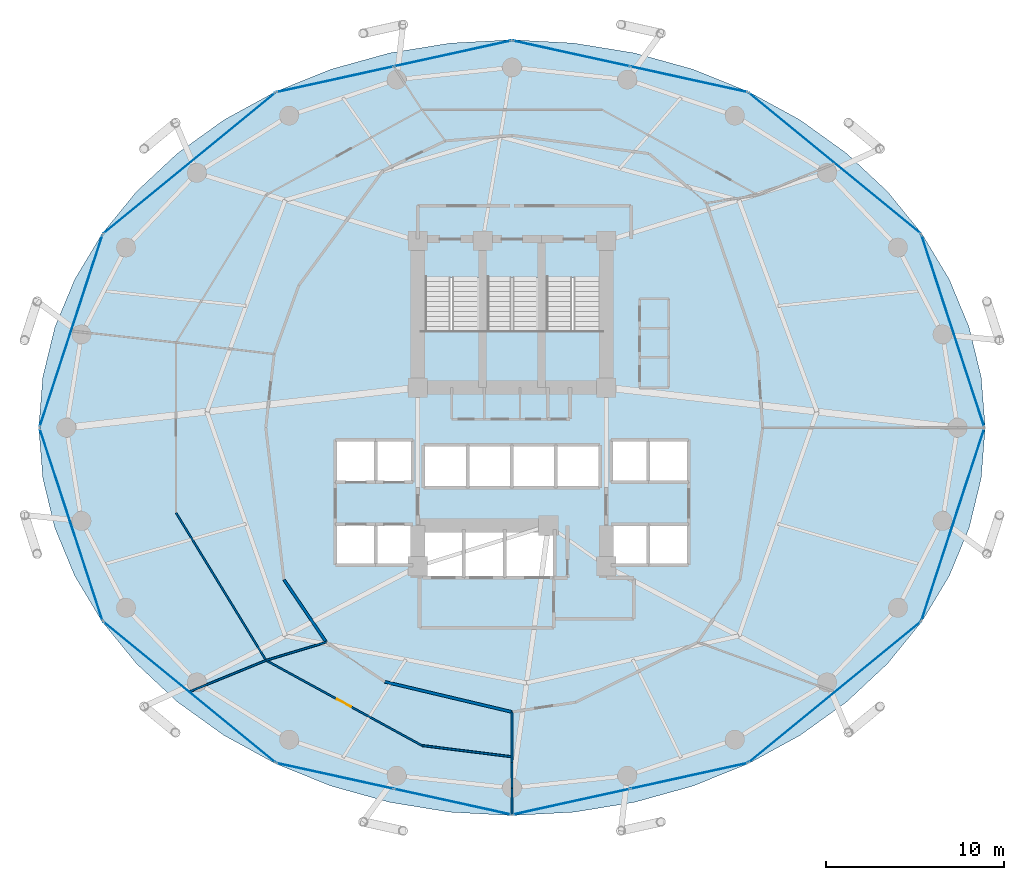
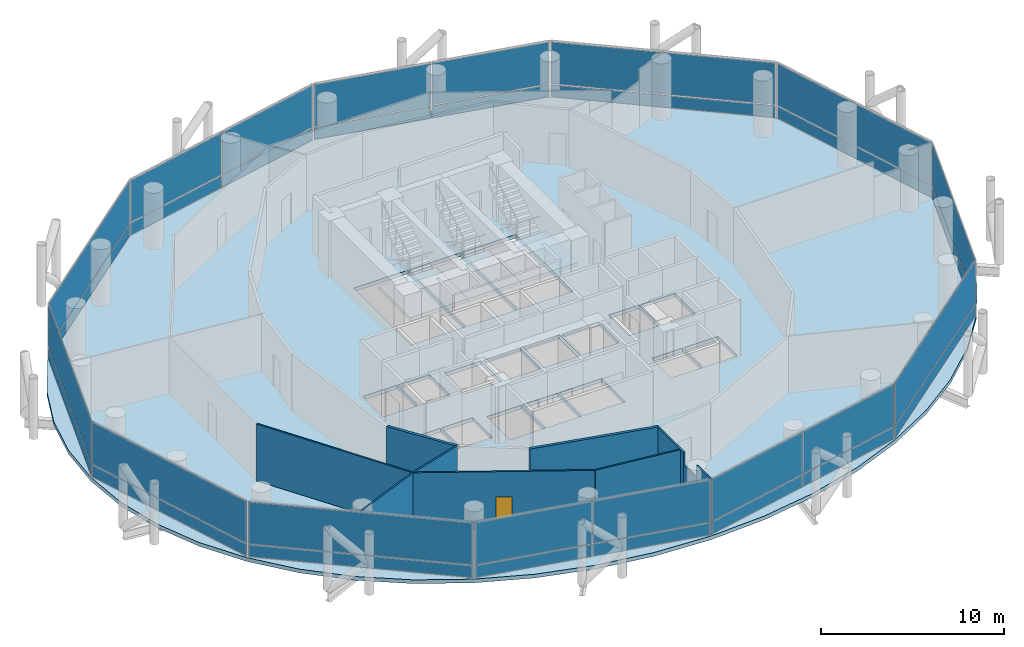
# One storey, part 20 of 25: 32 plates, 10 walls, 4 slabs, 1 door, 1 opening, 15 elements without a shape of their own.
"""IFC4 building model written with IfcOpenShell, lengths in metres."""

import ifcopenshell
import ifcopenshell.guid

model = None  # the IFC model being written
_history = None  # IfcOwnerHistory: only IFC2X3 demands one
_inside = {}  # id of a spatial element -> (the spatial element, [elements in it])
_under = {}  # id of a project, library or spatial element -> (it, [spatial elements below it])
_declared = {}  # id of a project -> (the project, [libraries it declares])
_typed = {}  # id of a type object -> (the type object, [elements of that type])
_made_of = {}  # id of a material, layer set ... -> (it, [elements and type objects made of it])


def new_model(schema):
    """Start an empty IFC model of exactly this schema.

    Asked for "IFC4X3", IfcOpenShell would pick the latest addendum, in which some entities
    have other attributes; the version numbers below select the first issue.
    IFC2X3 requires an IfcOwnerHistory on every rooted entity: one is made here for all.
    """
    global model, _history
    if schema == "IFC4X3":
        model = ifcopenshell.file(schema_version=(4, 3, 0, 0))
    else:
        model = ifcopenshell.file(schema=schema)
    _inside.clear()
    _under.clear()
    _declared.clear()
    _typed.clear()
    _made_of.clear()
    _history = None
    if model.schema == "IFC2X3":
        org = make("IfcOrganization", Name="unknown")
        user = make(
            "IfcPersonAndOrganization",
            ThePerson=make("IfcPerson", FamilyName="unknown"),
            TheOrganization=org,
        )
        app = make(
            "IfcApplication",
            ApplicationDeveloper=org,
            Version="unknown",
            ApplicationFullName="unknown",
            ApplicationIdentifier="unknown",
        )
        _history = make(
            "IfcOwnerHistory",
            OwningUser=user,
            OwningApplication=app,
            ChangeAction="ADDED",
            CreationDate=0,
        )
    return model


def make(cls, **values):
    """One entity of the class cls with the attributes given. An attribute that is None is left unset."""
    return model.create_entity(
        cls, **{name: value for name, value in values.items() if value is not None}
    )


def rooted(cls, **values):
    """An entity with a GlobalId (a new one), such as an element, a storey or a relation."""
    return make(cls, GlobalId=ifcopenshell.guid.new(), OwnerHistory=_history, **values)


def si_unit(unit_type, name, prefix=None):
    """IfcSIUnit, for example si_unit("LENGTHUNIT", "METRE", prefix="MILLI")."""
    return make("IfcSIUnit", UnitType=unit_type, Prefix=prefix, Name=name)


def assignment(units):
    """IfcUnitAssignment: the units of a project."""
    return None if units is None else make("IfcUnitAssignment", Units=units)


def point(xyz):
    """IfcCartesianPoint."""
    return None if xyz is None else make("IfcCartesianPoint", Coordinates=xyz)


def direction(xyz):
    """IfcDirection."""
    return None if xyz is None else make("IfcDirection", DirectionRatios=xyz)


def frame(location, z_axis=None, x_axis=None):
    """IfcAxis2Placement3D, a coordinate frame: its origin and axes. An axis left out is left unset."""
    return make(
        "IfcAxis2Placement3D",
        Location=point(location),
        Axis=direction(z_axis),
        RefDirection=direction(x_axis),
    )


def frame_2d(location, x_axis=None):
    """IfcAxis2Placement2D, a coordinate frame in the plane: its origin and x axis."""
    return make(
        "IfcAxis2Placement2D", Location=point(location), RefDirection=direction(x_axis)
    )


def origin():
    """The frame at (0, 0, 0) with its axes left unset."""
    return frame((0.0, 0.0, 0.0))


def origin_2d():
    """The frame at (0, 0) in the plane with its x axis left unset."""
    return frame_2d((0.0, 0.0))


def place(relative_to, where):
    """IfcLocalPlacement: puts the frame where relative to a parent placement (None: the world)."""
    return make(
        "IfcLocalPlacement", PlacementRelTo=relative_to, RelativePlacement=where
    )


def context(
    kind, dimensions, precision=None, world=None, true_north=None, identifier=None
):
    """IfcGeometricRepresentationContext, for example the 3D "Model" context."""
    return make(
        "IfcGeometricRepresentationContext",
        ContextIdentifier=identifier,
        ContextType=kind,
        CoordinateSpaceDimension=dimensions,
        Precision=precision,
        WorldCoordinateSystem=world,
        TrueNorth=true_north,
    )


def subcontext(parent, identifier, kind, view, scale=None):
    """IfcGeometricRepresentationSubContext, for example "Body" below "Model"."""
    return make(
        "IfcGeometricRepresentationSubContext",
        ContextIdentifier=identifier,
        ContextType=kind,
        ParentContext=parent,
        TargetScale=scale,
        TargetView=view,
    )


def project(units=None, contexts=None):
    """IfcProject with its units and contexts."""
    return rooted(
        "IfcProject",
        Name="project",
        RepresentationContexts=contexts,
        UnitsInContext=assignment(units),
    )


def spatial(cls, under=None, at=None, **own):
    """A site, building, storey or space (cls), placed at a placement, below another one or the project."""
    s = rooted(cls, ObjectPlacement=at, **own)
    if under is not None:
        _under.setdefault(under.id(), (under, []))[1].append(s)
    return s


def polyline(points):
    """IfcPolyline through the points."""
    return make("IfcPolyline", Points=[point(p) for p in points])


def profile(cls, at=None, kind="AREA", **sizes):
    """A parametric profile (cls). Its sizes go by their IFC names, for example OverallWidth=200.0."""
    return make(cls, ProfileType=kind, Position=at, **sizes)


def rectangle(**sizes):
    """IfcRectangleProfileDef."""
    return profile("IfcRectangleProfileDef", **sizes)


def outline(outer, holes=None, kind="AREA"):
    """IfcArbitraryClosedProfileDef: a profile drawn as a closed curve; with holes, ...WithVoids."""
    if holes is None:
        return make("IfcArbitraryClosedProfileDef", ProfileType=kind, OuterCurve=outer)
    return make(
        "IfcArbitraryProfileDefWithVoids",
        ProfileType=kind,
        OuterCurve=outer,
        InnerCurves=holes,
    )


def extrude(swept, where, along, depth):
    """IfcExtrudedAreaSolid: the profile swept, set in the frame where, extruded along a direction by depth."""
    return make(
        "IfcExtrudedAreaSolid",
        SweptArea=swept,
        Position=where,
        ExtrudedDirection=direction(along),
        Depth=depth,
    )


def shape(context_of_items, identifier, shape_type, items):
    """IfcShapeRepresentation: the items that make up one representation, for example the "Body"."""
    return make(
        "IfcShapeRepresentation",
        ContextOfItems=context_of_items,
        RepresentationIdentifier=identifier,
        RepresentationType=shape_type,
        Items=items,
    )


def material(Name=None, Category=None):
    """IfcMaterial."""
    return make("IfcMaterial", Name=Name, Category=Category)


def layer(
    of_material, thickness, ventilated=None, Name=None, Category=None, Priority=None
):
    """IfcMaterialLayer: one layer of a wall or slab, of a material (None: an air gap)."""
    return make(
        "IfcMaterialLayer",
        Material=of_material,
        LayerThickness=thickness,
        IsVentilated=ventilated,
        Name=Name,
        Category=Category,
        Priority=Priority,
    )


def layer_set(layers, Name=None):
    """IfcMaterialLayerSet."""
    return make("IfcMaterialLayerSet", MaterialLayers=layers, LayerSetName=Name)


def made_of(thing, what):
    """Note that an element or type object is made of a material, layer set ...; save() writes the relation."""
    if what is not None:
        _made_of.setdefault(what.id(), (what, []))[1].append(thing)
    return thing


def type_object(cls, material=None, **own):
    """A type object (cls), such as IfcWallType, which elements share."""
    return made_of(rooted(cls, **own), material)


def element(
    cls,
    number,
    at=None,
    inside=None,
    cuts=None,
    type_object=None,
    material=None,
    context=None,
    identifier="Body",
    shape_type=None,
    held_by="IfcProductDefinitionShape",
    body=None,
    shapes=None,
    **own,
):
    """One element of the class cls, such as IfcWall. Its Tag is "e" and its number.

    at: its placement. inside: the storey or other place that contains it. cuts: it is an
    opening in that element (IfcRelVoidsElement). A single representation is given by context,
    identifier, shape_type and body (its items); several are given by shapes. held_by: the class
    of the entity that holds the representations. save() writes the other relations.
    """
    e = rooted(cls, Tag="e%d" % number, ObjectPlacement=at, **own)
    if body is not None:
        shapes = [shape(context, identifier, shape_type, body)]
    if shapes is not None:
        e.Representation = make(held_by, Representations=shapes)
    if inside is not None:
        _inside.setdefault(inside.id(), (inside, []))[1].append(e)
    if cuts is not None:
        rooted(
            "IfcRelVoidsElement", RelatingBuildingElement=cuts, RelatedOpeningElement=e
        )
    if type_object is not None:
        _typed.setdefault(type_object.id(), (type_object, []))[1].append(e)
    return made_of(e, material)


def fill(opening, filler):
    """IfcRelFillsElement: the door or window that sits in an opening."""
    return rooted(
        "IfcRelFillsElement",
        RelatingOpeningElement=opening,
        RelatedBuildingElement=filler,
    )


def aggregate(whole, parts):
    """IfcRelAggregates: a whole, such as a stair, and the parts it consists of."""
    return rooted("IfcRelAggregates", RelatingObject=whole, RelatedObjects=parts)


def save(model, path):
    """Write the relations noted so far, then the file.

    IfcRelAggregates (storeys below a building ...), IfcRelContainedInSpatialStructure (elements
    in a storey), IfcRelDefinesByType, IfcRelAssociatesMaterial and IfcRelDeclares: one each for
    every whole, place, type object, material and project.
    """
    for whole, parts in _under.values():
        aggregate(whole, parts)
    for where, things in _inside.values():
        rooted(
            "IfcRelContainedInSpatialStructure",
            RelatedElements=things,
            RelatingStructure=where,
        )
    for kind, things in _typed.values():
        rooted("IfcRelDefinesByType", RelatedObjects=things, RelatingType=kind)
    for what, things in _made_of.values():
        rooted("IfcRelAssociatesMaterial", RelatedObjects=things, RelatingMaterial=what)
    for by, libraries in _declared.values():
        rooted("IfcRelDeclares", RelatingContext=by, RelatedDefinitions=libraries)
    model.write(path)


model = new_model("IFC4")

# Units and contexts
model_context = context("Model", 3, precision=1e-05, world=origin(), true_north=direction((0.0, 1.0)))
body_context = subcontext(model_context, "Body", "Model", "MODEL_VIEW")
ifc_project = project(units=[si_unit("LENGTHUNIT", "METRE"), si_unit("AREAUNIT", "SQUARE_METRE"), si_unit("VOLUMEUNIT", "CUBIC_METRE"), si_unit("PLANEANGLEUNIT", "RADIAN"), si_unit("MASSUNIT", "GRAM", prefix="KILO")], contexts=[model_context])

# Site, building, storey
site_placement = place(None, origin())
site = spatial("IfcSite", under=ifc_project, at=site_placement, CompositionType="ELEMENT")
building_placement = place(site_placement, origin())
building = spatial("IfcBuilding", under=site, at=building_placement, Name="Nuhasar Tower", CompositionType="ELEMENT")
storey_placement = place(building_placement, frame((0.0, 0.0, 57.449951171875)))
storey = spatial("IfcBuildingStorey", under=building, at=storey_placement, Name="L13", CompositionType="ELEMENT", Elevation=57.449951171875)

# Curtain wall, plate
ifc_material_1 = material(Name="Aluminium 6063-T6", Category="aluminium")
ifc_layer_1 = layer(ifc_material_1, 0.199951171875)
ifc_layer_set_1 = layer_set([ifc_layer_1], Name="Aluminium 6063-T6")
curtain_wall_type = type_object("IfcCurtainWallType", Name="CW-Z1-OFF", PredefinedType="NOTDEFINED", material=ifc_layer_set_1)
curtain_wall_1_placement = place(storey_placement, origin())
curtain_wall_1 = element("IfcCurtainWall", 1, at=curtain_wall_1_placement, inside=storey, type_object=curtain_wall_type, Name="L13 Unitised Curtain Wall 01", PredefinedType="NOTDEFINED")
ifc_material_2 = material(Name="Glass Double Low-E", Category="glass")
ifc_layer_2 = layer(ifc_material_2, 0.028076171875)
ifc_layer_set_2 = layer_set([ifc_layer_2], Name="Glass Double Low-E")
plate_type_1 = type_object("IfcPlateType", Name="CW-PANEL-GLZ", PredefinedType="CURTAIN_PANEL", material=ifc_layer_set_2)
plate_1_placement = place(storey_placement, frame((63.781005859375, 32.239990234375, 0.9326171875), z_axis=(0.0, 0.0, 1.0), x_axis=(-0.310823849997, 0.950467534571, 0.0)))
plate_1 = element("IfcPlate", 2, at=plate_1_placement, type_object=plate_type_1, Name="CW-Z1 panel 1.2", PredefinedType="CURTAIN_PANEL", context=body_context, shape_type="SweptSolid", body=[
    extrude(rectangle(XDim=11.31689453125, YDim=0.028076171875, at=origin_2d()), origin(), (0.0, 0.0, 1.0), 2.802490234375),
])

curtain_wall_2_placement = place(storey_placement, origin())
curtain_wall_2 = element("IfcCurtainWall", 3, at=curtain_wall_2_placement, inside=storey, type_object=curtain_wall_type, Name="L13 Unitised Curtain Wall 02", PredefinedType="NOTDEFINED")
plate_2_placement = place(storey_placement, frame((57.14111328125, 41.66259765625, 0.9326171875), z_axis=(0.0, 0.0, 1.0), x_axis=(-0.773542364946, 0.633744593376, 0.0)))
plate_2 = element("IfcPlate", 4, at=plate_2_placement, type_object=plate_type_1, Name="CW-Z1 panel 1.2", PredefinedType="CURTAIN_PANEL", context=body_context, shape_type="SweptSolid", body=[
    extrude(rectangle(XDim=12.438232421875, YDim=0.028076171875, at=origin_2d()), origin(), (0.0, 0.0, 1.0), 2.802490234375),
])

# Curtain wall, plates
curtain_wall_3_placement = place(storey_placement, origin())
curtain_wall_3 = element("IfcCurtainWall", 5, at=curtain_wall_3_placement, inside=storey, type_object=curtain_wall_type, Name="L13 Unitised Curtain Wall 03", PredefinedType="NOTDEFINED")
plate_3_placement = place(storey_placement, frame((48.944091796875, 46.377197265625, 0.9326171875), z_axis=(0.0, 0.0, 1.0), x_axis=(-0.976746221544, 0.214398737637, 0.0)))
plate_3 = element("IfcPlate", 6, at=plate_3_placement, type_object=plate_type_1, Name="CW-Z1 panel 1.2", PredefinedType="CURTAIN_PANEL", context=body_context, shape_type="SweptSolid", body=[
    extrude(rectangle(XDim=6.70068359375, YDim=0.028076171875, at=origin_2d()), origin(), (0.0, 0.0, 1.0), 2.802490234375),
])
plate_4_placement = place(storey_placement, frame((42.3359375, 47.827880859375, 0.9326171875), z_axis=(0.0, 0.0, 1.0), x_axis=(-0.976746221544, 0.214398737637, 0.0)))
plate_4 = element("IfcPlate", 7, at=plate_4_placement, type_object=plate_type_1, Name="CW-Z1 panel 2.2", PredefinedType="CURTAIN_PANEL", context=body_context, shape_type="SweptSolid", body=[
    extrude(rectangle(XDim=6.70068359375, YDim=0.028076171875, at=origin_2d()), origin(), (0.0, 0.0, 1.0), 2.802490234375),
])

curtain_wall_4_placement = place(storey_placement, origin())
curtain_wall_4 = element("IfcCurtainWall", 8, at=curtain_wall_4_placement, inside=storey, type_object=curtain_wall_type, Name="L13 Unitised Curtain Wall 04", PredefinedType="NOTDEFINED")
plate_5_placement = place(storey_placement, frame((35.6640625, 47.827880859375, 0.9326171875), z_axis=(0.0, 0.0, 1.0), x_axis=(-0.976746221544, -0.214398737637, 0.0)))
plate_5 = element("IfcPlate", 9, at=plate_5_placement, type_object=plate_type_1, Name="CW-Z1 panel 1.2", PredefinedType="CURTAIN_PANEL", context=body_context, shape_type="SweptSolid", body=[
    extrude(rectangle(XDim=6.70068359375, YDim=0.028076171875, at=origin_2d()), origin(), (0.0, 0.0, 1.0), 2.802490234375),
])
plate_6_placement = place(storey_placement, frame((29.055908203125, 46.377197265625, 0.9326171875), z_axis=(0.0, 0.0, 1.0), x_axis=(-0.976746221544, -0.214398737637, 0.0)))
plate_6 = element("IfcPlate", 10, at=plate_6_placement, type_object=plate_type_1, Name="CW-Z1 panel 2.2", PredefinedType="CURTAIN_PANEL", context=body_context, shape_type="SweptSolid", body=[
    extrude(rectangle(XDim=6.70068359375, YDim=0.028076171875, at=origin_2d()), origin(), (0.0, 0.0, 1.0), 2.802490234375),
])

# Curtain wall, plate
curtain_wall_5_placement = place(storey_placement, origin())
curtain_wall_5 = element("IfcCurtainWall", 11, at=curtain_wall_5_placement, inside=storey, type_object=curtain_wall_type, Name="L13 Unitised Curtain Wall 05", PredefinedType="NOTDEFINED")
plate_7_placement = place(storey_placement, frame((20.85888671875, 41.66259765625, 0.9326171875), z_axis=(0.0, 0.0, 1.0), x_axis=(-0.773542364946, -0.633744593376, 0.0)))
plate_7 = element("IfcPlate", 12, at=plate_7_placement, type_object=plate_type_1, Name="CW-Z1 panel 1.2", PredefinedType="CURTAIN_PANEL", context=body_context, shape_type="SweptSolid", body=[
    extrude(rectangle(XDim=12.438232421875, YDim=0.028076171875, at=origin_2d()), origin(), (0.0, 0.0, 1.0), 2.802490234375),
])

curtain_wall_6_placement = place(storey_placement, origin())
curtain_wall_6 = element("IfcCurtainWall", 13, at=curtain_wall_6_placement, inside=storey, type_object=curtain_wall_type, Name="L13 Unitised Curtain Wall 06", PredefinedType="NOTDEFINED")
plate_8_placement = place(storey_placement, frame((14.218994140625, 32.239990234375, 0.9326171875), z_axis=(0.0, 0.0, 1.0), x_axis=(-0.310823849997, -0.950467534571, 0.0)))
plate_8 = element("IfcPlate", 14, at=plate_8_placement, type_object=plate_type_1, Name="CW-Z1 panel 1.2", PredefinedType="CURTAIN_PANEL", context=body_context, shape_type="SweptSolid", body=[
    extrude(rectangle(XDim=11.31689453125, YDim=0.028076171875, at=origin_2d()), origin(), (0.0, 0.0, 1.0), 2.802490234375),
])

curtain_wall_7_placement = place(storey_placement, origin())
curtain_wall_7 = element("IfcCurtainWall", 15, at=curtain_wall_7_placement, inside=storey, type_object=curtain_wall_type, Name="L13 Unitised Curtain Wall 07", PredefinedType="NOTDEFINED")
plate_9_placement = place(storey_placement, frame((14.218994140625, 21.360107421875, 0.9326171875), z_axis=(0.0, 0.0, 1.0), x_axis=(0.310823849997, -0.950467534571, 0.0)))
plate_9 = element("IfcPlate", 16, at=plate_9_placement, type_object=plate_type_1, Name="CW-Z1 panel 1.2", PredefinedType="CURTAIN_PANEL", context=body_context, shape_type="SweptSolid", body=[
    extrude(rectangle(XDim=11.31689453125, YDim=0.028076171875, at=origin_2d()), origin(), (0.0, 0.0, 1.0), 2.802490234375),
])

curtain_wall_8_placement = place(storey_placement, origin())
curtain_wall_8 = element("IfcCurtainWall", 17, at=curtain_wall_8_placement, inside=storey, type_object=curtain_wall_type, Name="L13 Unitised Curtain Wall 08", PredefinedType="NOTDEFINED")
plate_10_placement = place(storey_placement, frame((20.85888671875, 11.9375, 0.9326171875), z_axis=(0.0, 0.0, 1.0), x_axis=(0.773542364946, -0.633744593376, 0.0)))
plate_10 = element("IfcPlate", 18, at=plate_10_placement, type_object=plate_type_1, Name="CW-Z1 panel 1.2", PredefinedType="CURTAIN_PANEL", context=body_context, shape_type="SweptSolid", body=[
    extrude(rectangle(XDim=12.438232421875, YDim=0.028076171875, at=origin_2d()), origin(), (0.0, 0.0, 1.0), 2.802490234375),
])

# Curtain wall, plates
curtain_wall_9_placement = place(storey_placement, origin())
curtain_wall_9 = element("IfcCurtainWall", 19, at=curtain_wall_9_placement, inside=storey, type_object=curtain_wall_type, Name="L13 Unitised Curtain Wall 09", PredefinedType="NOTDEFINED")
plate_11_placement = place(storey_placement, frame((29.055908203125, 7.22265625, 0.9326171875), z_axis=(0.0, 0.0, 1.0), x_axis=(0.976746221544, -0.214398737637, 0.0)))
plate_11 = element("IfcPlate", 20, at=plate_11_placement, type_object=plate_type_1, Name="CW-Z1 panel 1.2", PredefinedType="CURTAIN_PANEL", context=body_context, shape_type="SweptSolid", body=[
    extrude(rectangle(XDim=6.70068359375, YDim=0.028076171875, at=origin_2d()), origin(), (0.0, 0.0, 1.0), 2.802490234375),
])
plate_12_placement = place(storey_placement, frame((35.6640625, 5.772216796875, 0.9326171875), z_axis=(0.0, 0.0, 1.0), x_axis=(0.976746221544, -0.214398737637, 0.0)))
plate_12 = element("IfcPlate", 21, at=plate_12_placement, type_object=plate_type_1, Name="CW-Z1 panel 2.2", PredefinedType="CURTAIN_PANEL", context=body_context, shape_type="SweptSolid", body=[
    extrude(rectangle(XDim=6.70068359375, YDim=0.028076171875, at=origin_2d()), origin(), (0.0, 0.0, 1.0), 2.802490234375),
])

curtain_wall_10_placement = place(storey_placement, origin())
curtain_wall_10 = element("IfcCurtainWall", 22, at=curtain_wall_10_placement, inside=storey, type_object=curtain_wall_type, Name="L13 Unitised Curtain Wall 10", PredefinedType="NOTDEFINED")
plate_13_placement = place(storey_placement, frame((42.3359375, 5.772216796875, 0.9326171875), z_axis=(0.0, 0.0, 1.0), x_axis=(0.976746221544, 0.214398737637, 0.0)))
plate_13 = element("IfcPlate", 23, at=plate_13_placement, type_object=plate_type_1, Name="CW-Z1 panel 1.2", PredefinedType="CURTAIN_PANEL", context=body_context, shape_type="SweptSolid", body=[
    extrude(rectangle(XDim=6.70068359375, YDim=0.028076171875, at=origin_2d()), origin(), (0.0, 0.0, 1.0), 2.802490234375),
])
plate_14_placement = place(storey_placement, frame((48.944091796875, 7.22265625, 0.9326171875), z_axis=(0.0, 0.0, 1.0), x_axis=(0.976746221544, 0.214398737637, 0.0)))
plate_14 = element("IfcPlate", 24, at=plate_14_placement, type_object=plate_type_1, Name="CW-Z1 panel 2.2", PredefinedType="CURTAIN_PANEL", context=body_context, shape_type="SweptSolid", body=[
    extrude(rectangle(XDim=6.70068359375, YDim=0.028076171875, at=origin_2d()), origin(), (0.0, 0.0, 1.0), 2.802490234375),
])

# Curtain wall, plate
curtain_wall_11_placement = place(storey_placement, origin())
curtain_wall_11 = element("IfcCurtainWall", 25, at=curtain_wall_11_placement, inside=storey, type_object=curtain_wall_type, Name="L13 Unitised Curtain Wall 11", PredefinedType="NOTDEFINED")
plate_15_placement = place(storey_placement, frame((57.14111328125, 11.9375, 0.9326171875), z_axis=(0.0, 0.0, 1.0), x_axis=(0.773542364946, 0.633744593376, 0.0)))
plate_15 = element("IfcPlate", 26, at=plate_15_placement, type_object=plate_type_1, Name="CW-Z1 panel 1.2", PredefinedType="CURTAIN_PANEL", context=body_context, shape_type="SweptSolid", body=[
    extrude(rectangle(XDim=12.438232421875, YDim=0.028076171875, at=origin_2d()), origin(), (0.0, 0.0, 1.0), 2.802490234375),
])

curtain_wall_12_placement = place(storey_placement, origin())
curtain_wall_12 = element("IfcCurtainWall", 27, at=curtain_wall_12_placement, inside=storey, type_object=curtain_wall_type, Name="L13 Unitised Curtain Wall 12", PredefinedType="NOTDEFINED")
plate_16_placement = place(storey_placement, frame((63.781005859375, 21.360107421875, 0.9326171875), z_axis=(0.0, 0.0, 1.0), x_axis=(0.310823849997, 0.950467534571, 0.0)))
plate_16 = element("IfcPlate", 28, at=plate_16_placement, type_object=plate_type_1, Name="CW-Z1 panel 1.2", PredefinedType="CURTAIN_PANEL", context=body_context, shape_type="SweptSolid", body=[
    extrude(rectangle(XDim=11.31689453125, YDim=0.028076171875, at=origin_2d()), origin(), (0.0, 0.0, 1.0), 2.802490234375),
])

# Plate
ifc_material_3 = material(Name="Glass Spandrel", Category="glass")
ifc_layer_3 = layer(ifc_material_3, 0.035888671875)
ifc_layer_set_3 = layer_set([ifc_layer_3], Name="Glass Spandrel")
plate_type_2 = type_object("IfcPlateType", Name="CW-PANEL-SPN", PredefinedType="CURTAIN_PANEL", material=ifc_layer_set_3)
plate_17_placement = place(storey_placement, frame((63.781005859375, 32.239990234375, 0.06494140625), z_axis=(0.0, 0.0, 1.0), x_axis=(-0.310823849997, 0.950467534571, 0.0)))
plate_17 = element("IfcPlate", 29, at=plate_17_placement, type_object=plate_type_2, Name="CW-Z1 panel 1.1", PredefinedType="CURTAIN_PANEL", context=body_context, shape_type="SweptSolid", body=[
    extrude(rectangle(XDim=11.31689453125, YDim=0.035888671875, at=origin_2d()), origin(), (0.0, 0.0, 1.0), 0.802490234375),
])

aggregate(curtain_wall_1, [plate_17, plate_1])

plate_18_placement = place(storey_placement, frame((57.14111328125, 41.66259765625, 0.06494140625), z_axis=(0.0, 0.0, 1.0), x_axis=(-0.773542364946, 0.633744593376, 0.0)))
plate_18 = element("IfcPlate", 30, at=plate_18_placement, type_object=plate_type_2, Name="CW-Z1 panel 1.1", PredefinedType="CURTAIN_PANEL", context=body_context, shape_type="SweptSolid", body=[
    extrude(rectangle(XDim=12.438232421875, YDim=0.035888671875, at=origin_2d()), origin(), (0.0, 0.0, 1.0), 0.802490234375),
])

aggregate(curtain_wall_2, [plate_18, plate_2])

plate_19_placement = place(storey_placement, frame((48.944091796875, 46.377197265625, 0.06494140625), z_axis=(0.0, 0.0, 1.0), x_axis=(-0.976746221544, 0.214398737637, 0.0)))
plate_19 = element("IfcPlate", 31, at=plate_19_placement, type_object=plate_type_2, Name="CW-Z1 panel 1.1", PredefinedType="CURTAIN_PANEL", context=body_context, shape_type="SweptSolid", body=[
    extrude(rectangle(XDim=6.70068359375, YDim=0.035888671875, at=origin_2d()), origin(), (0.0, 0.0, 1.0), 0.802490234375),
])

plate_20_placement = place(storey_placement, frame((42.3359375, 47.827880859375, 0.06494140625), z_axis=(0.0, 0.0, 1.0), x_axis=(-0.976746221544, 0.214398737637, 0.0)))
plate_20 = element("IfcPlate", 32, at=plate_20_placement, type_object=plate_type_2, Name="CW-Z1 panel 2.1", PredefinedType="CURTAIN_PANEL", context=body_context, shape_type="SweptSolid", body=[
    extrude(rectangle(XDim=6.70068359375, YDim=0.035888671875, at=origin_2d()), origin(), (0.0, 0.0, 1.0), 0.802490234375),
])

aggregate(curtain_wall_3, [plate_19, plate_3, plate_20, plate_4])

plate_21_placement = place(storey_placement, frame((35.6640625, 47.827880859375, 0.06494140625), z_axis=(0.0, 0.0, 1.0), x_axis=(-0.976746221544, -0.214398737637, 0.0)))
plate_21 = element("IfcPlate", 33, at=plate_21_placement, type_object=plate_type_2, Name="CW-Z1 panel 1.1", PredefinedType="CURTAIN_PANEL", context=body_context, shape_type="SweptSolid", body=[
    extrude(rectangle(XDim=6.70068359375, YDim=0.035888671875, at=origin_2d()), origin(), (0.0, 0.0, 1.0), 0.802490234375),
])

plate_22_placement = place(storey_placement, frame((29.055908203125, 46.377197265625, 0.06494140625), z_axis=(0.0, 0.0, 1.0), x_axis=(-0.976746221544, -0.214398737637, 0.0)))
plate_22 = element("IfcPlate", 34, at=plate_22_placement, type_object=plate_type_2, Name="CW-Z1 panel 2.1", PredefinedType="CURTAIN_PANEL", context=body_context, shape_type="SweptSolid", body=[
    extrude(rectangle(XDim=6.70068359375, YDim=0.035888671875, at=origin_2d()), origin(), (0.0, 0.0, 1.0), 0.802490234375),
])

aggregate(curtain_wall_4, [plate_21, plate_5, plate_22, plate_6])

plate_23_placement = place(storey_placement, frame((20.85888671875, 41.66259765625, 0.06494140625), z_axis=(0.0, 0.0, 1.0), x_axis=(-0.773542364946, -0.633744593376, 0.0)))
plate_23 = element("IfcPlate", 35, at=plate_23_placement, type_object=plate_type_2, Name="CW-Z1 panel 1.1", PredefinedType="CURTAIN_PANEL", context=body_context, shape_type="SweptSolid", body=[
    extrude(rectangle(XDim=12.438232421875, YDim=0.035888671875, at=origin_2d()), origin(), (0.0, 0.0, 1.0), 0.802490234375),
])

aggregate(curtain_wall_5, [plate_23, plate_7])

plate_24_placement = place(storey_placement, frame((14.218994140625, 32.239990234375, 0.06494140625), z_axis=(0.0, 0.0, 1.0), x_axis=(-0.310823849997, -0.950467534571, 0.0)))
plate_24 = element("IfcPlate", 36, at=plate_24_placement, type_object=plate_type_2, Name="CW-Z1 panel 1.1", PredefinedType="CURTAIN_PANEL", context=body_context, shape_type="SweptSolid", body=[
    extrude(rectangle(XDim=11.31689453125, YDim=0.035888671875, at=origin_2d()), origin(), (0.0, 0.0, 1.0), 0.802490234375),
])

aggregate(curtain_wall_6, [plate_24, plate_8])

plate_25_placement = place(storey_placement, frame((14.218994140625, 21.360107421875, 0.06494140625), z_axis=(0.0, 0.0, 1.0), x_axis=(0.310823849997, -0.950467534571, 0.0)))
plate_25 = element("IfcPlate", 37, at=plate_25_placement, type_object=plate_type_2, Name="CW-Z1 panel 1.1", PredefinedType="CURTAIN_PANEL", context=body_context, shape_type="SweptSolid", body=[
    extrude(rectangle(XDim=11.31689453125, YDim=0.035888671875, at=origin_2d()), origin(), (0.0, 0.0, 1.0), 0.802490234375),
])

aggregate(curtain_wall_7, [plate_25, plate_9])

plate_26_placement = place(storey_placement, frame((20.85888671875, 11.9375, 0.06494140625), z_axis=(0.0, 0.0, 1.0), x_axis=(0.773542364946, -0.633744593376, 0.0)))
plate_26 = element("IfcPlate", 38, at=plate_26_placement, type_object=plate_type_2, Name="CW-Z1 panel 1.1", PredefinedType="CURTAIN_PANEL", context=body_context, shape_type="SweptSolid", body=[
    extrude(rectangle(XDim=12.438232421875, YDim=0.035888671875, at=origin_2d()), origin(), (0.0, 0.0, 1.0), 0.802490234375),
])

aggregate(curtain_wall_8, [plate_26, plate_10])

plate_27_placement = place(storey_placement, frame((29.055908203125, 7.22265625, 0.06494140625), z_axis=(0.0, 0.0, 1.0), x_axis=(0.976746221544, -0.214398737637, 0.0)))
plate_27 = element("IfcPlate", 39, at=plate_27_placement, type_object=plate_type_2, Name="CW-Z1 panel 1.1", PredefinedType="CURTAIN_PANEL", context=body_context, shape_type="SweptSolid", body=[
    extrude(rectangle(XDim=6.70068359375, YDim=0.035888671875, at=origin_2d()), origin(), (0.0, 0.0, 1.0), 0.802490234375),
])

plate_28_placement = place(storey_placement, frame((35.6640625, 5.772216796875, 0.06494140625), z_axis=(0.0, 0.0, 1.0), x_axis=(0.976746221544, -0.214398737637, 0.0)))
plate_28 = element("IfcPlate", 40, at=plate_28_placement, type_object=plate_type_2, Name="CW-Z1 panel 2.1", PredefinedType="CURTAIN_PANEL", context=body_context, shape_type="SweptSolid", body=[
    extrude(rectangle(XDim=6.70068359375, YDim=0.035888671875, at=origin_2d()), origin(), (0.0, 0.0, 1.0), 0.802490234375),
])

aggregate(curtain_wall_9, [plate_27, plate_11, plate_28, plate_12])

plate_29_placement = place(storey_placement, frame((42.3359375, 5.772216796875, 0.06494140625), z_axis=(0.0, 0.0, 1.0), x_axis=(0.976746221544, 0.214398737637, 0.0)))
plate_29 = element("IfcPlate", 41, at=plate_29_placement, type_object=plate_type_2, Name="CW-Z1 panel 1.1", PredefinedType="CURTAIN_PANEL", context=body_context, shape_type="SweptSolid", body=[
    extrude(rectangle(XDim=6.70068359375, YDim=0.035888671875, at=origin_2d()), origin(), (0.0, 0.0, 1.0), 0.802490234375),
])

plate_30_placement = place(storey_placement, frame((48.944091796875, 7.22265625, 0.06494140625), z_axis=(0.0, 0.0, 1.0), x_axis=(0.976746221544, 0.214398737637, 0.0)))
plate_30 = element("IfcPlate", 42, at=plate_30_placement, type_object=plate_type_2, Name="CW-Z1 panel 2.1", PredefinedType="CURTAIN_PANEL", context=body_context, shape_type="SweptSolid", body=[
    extrude(rectangle(XDim=6.70068359375, YDim=0.035888671875, at=origin_2d()), origin(), (0.0, 0.0, 1.0), 0.802490234375),
])

aggregate(curtain_wall_10, [plate_29, plate_13, plate_30, plate_14])

plate_31_placement = place(storey_placement, frame((57.14111328125, 11.9375, 0.06494140625), z_axis=(0.0, 0.0, 1.0), x_axis=(0.773542364946, 0.633744593376, 0.0)))
plate_31 = element("IfcPlate", 43, at=plate_31_placement, type_object=plate_type_2, Name="CW-Z1 panel 1.1", PredefinedType="CURTAIN_PANEL", context=body_context, shape_type="SweptSolid", body=[
    extrude(rectangle(XDim=12.438232421875, YDim=0.035888671875, at=origin_2d()), origin(), (0.0, 0.0, 1.0), 0.802490234375),
])

aggregate(curtain_wall_11, [plate_31, plate_15])

plate_32_placement = place(storey_placement, frame((63.781005859375, 21.360107421875, 0.06494140625), z_axis=(0.0, 0.0, 1.0), x_axis=(0.310823849997, 0.950467534571, 0.0)))
plate_32 = element("IfcPlate", 44, at=plate_32_placement, type_object=plate_type_2, Name="CW-Z1 panel 1.1", PredefinedType="CURTAIN_PANEL", context=body_context, shape_type="SweptSolid", body=[
    extrude(rectangle(XDim=11.31689453125, YDim=0.035888671875, at=origin_2d()), origin(), (0.0, 0.0, 1.0), 0.802490234375),
])

aggregate(curtain_wall_12, [plate_32, plate_16])

# Stair, slab
ifc_material_4 = material(Name="Concrete C45/55", Category="concrete")
stair_type_1 = type_object("IfcStairType", Name="STR-ST-01-2F-24R-1688", PredefinedType="HALF_TURN_STAIR", material=ifc_material_4)
stair_1_placement = place(storey_placement, origin())
stair_1 = element("IfcStair", 45, at=stair_1_placement, inside=storey, type_object=stair_type_1, Name="L13 Exit Stair ST-01", PredefinedType="HALF_TURN_STAIR")
ifc_layer_4 = layer(ifc_material_4, 0.239990234375)
ifc_layer_set_4 = layer_set([ifc_layer_4], Name="Concrete C45/55")
slab_type_1 = type_object("IfcSlabType", Name="SLB-STAIR-LND-240", PredefinedType="LANDING", material=ifc_layer_set_4)
slab_1_placement = place(storey_placement, frame((0.0, 0.0, 1.78515625)))
slab_1 = element("IfcSlab", 46, at=slab_1_placement, type_object=slab_type_1, Name="ST-01 landing 1", PredefinedType="LANDING", context=body_context, shape_type="SweptSolid", body=[
    extrude(outline(polyline([(33.699951171875, 28.75), (37.35009765625, 28.75), (37.35009765625, 32.239990234375), (33.699951171875, 32.239990234375), (33.699951171875, 28.75)])), origin(), (0.0, 0.0, 1.0), 0.239990234375),
])
aggregate(stair_1, [slab_1])

stair_type_2 = type_object("IfcStairType", Name="STR-ST-03-2F-24R-1688", PredefinedType="HALF_TURN_STAIR", material=ifc_material_4)
stair_2_placement = place(storey_placement, origin())
stair_2 = element("IfcStair", 47, at=stair_2_placement, inside=storey, type_object=stair_type_2, Name="L13 Exit Stair ST-03", PredefinedType="HALF_TURN_STAIR")
slab_2_placement = place(storey_placement, frame((0.0, 0.0, 1.78515625)))
slab_2 = element("IfcSlab", 48, at=slab_2_placement, type_object=slab_type_1, Name="ST-03 landing 1", PredefinedType="LANDING", context=body_context, shape_type="SweptSolid", body=[
    extrude(outline(polyline([(37.35009765625, 28.75), (40.64990234375, 28.75), (40.64990234375, 32.239990234375), (37.35009765625, 32.239990234375), (37.35009765625, 28.75)])), origin(), (0.0, 0.0, 1.0), 0.239990234375),
])
aggregate(stair_2, [slab_2])

stair_type_3 = type_object("IfcStairType", Name="STR-ST-02-2F-24R-1688", PredefinedType="HALF_TURN_STAIR", material=ifc_material_4)
stair_3_placement = place(storey_placement, origin())
stair_3 = element("IfcStair", 49, at=stair_3_placement, inside=storey, type_object=stair_type_3, Name="L13 Exit Stair ST-02", PredefinedType="HALF_TURN_STAIR")
slab_3_placement = place(storey_placement, frame((0.0, 0.0, 1.78515625)))
slab_3 = element("IfcSlab", 50, at=slab_3_placement, type_object=slab_type_1, Name="ST-02 landing 1", PredefinedType="LANDING", context=body_context, shape_type="SweptSolid", body=[
    extrude(outline(polyline([(40.64990234375, 28.75), (44.300048828125, 28.75), (44.300048828125, 32.239990234375), (40.64990234375, 32.239990234375), (40.64990234375, 28.75)])), origin(), (0.0, 0.0, 1.0), 0.239990234375),
])
aggregate(stair_3, [slab_3])

# Slab
ifc_layer_5 = layer(ifc_material_4, 0.25)
ifc_layer_set_5 = layer_set([ifc_layer_5], Name="Concrete C45/55")
slab_type_2 = type_object("IfcSlabType", Name="SLB-Z1B-250", PredefinedType="FLOOR", material=ifc_layer_set_5)
slab_4_placement = place(storey_placement, frame((0.0, 0.0, -0.25)))
element("IfcSlab", 51, at=slab_4_placement, inside=storey, type_object=slab_type_2, Name="L13 Structural Slab", PredefinedType="FLOOR", context=body_context, shape_type="SweptSolid", body=[
    extrude(outline(polyline([(65.60009765625, 26.800048828125), (65.3720703125, 29.64501953125), (64.694091796875, 32.44189453125), (63.574951171875, 35.14208984375), (62.035888671875, 37.699951171875), (60.10302734375, 40.071044921875), (57.80908203125, 42.215087890625), (55.193115234375, 44.094970703125), (52.300048828125, 45.678955078125), (49.178955078125, 46.94091796875), (45.885009765625, 47.85693359375), (42.471923828125, 48.4130859375), (39.0, 48.60009765625), (35.528076171875, 48.4130859375), (32.114990234375, 47.85693359375), (28.821044921875, 46.94091796875), (25.699951171875, 45.678955078125), (22.806884765625, 44.094970703125), (20.19091796875, 42.215087890625), (17.89697265625, 40.071044921875), (15.964111328125, 37.699951171875), (14.425048828125, 35.14208984375), (13.305908203125, 32.44189453125), (12.6279296875, 29.64501953125), (12.39990234375, 26.800048828125), (12.6279296875, 23.955078125), (13.305908203125, 21.157958984375), (14.425048828125, 18.4580078125), (15.964111328125, 15.89990234375), (17.89697265625, 13.529052734375), (20.19091796875, 11.385009765625), (22.806884765625, 9.5048828125), (25.699951171875, 7.9208984375), (28.821044921875, 6.658935546875), (32.114990234375, 5.742919921875), (35.528076171875, 5.18701171875), (39.0, 5.0), (42.471923828125, 5.18701171875), (45.885009765625, 5.742919921875), (49.178955078125, 6.658935546875), (52.300048828125, 7.9208984375), (55.193115234375, 9.5048828125), (57.80908203125, 11.385009765625), (60.10302734375, 13.529052734375), (62.035888671875, 15.89990234375), (63.574951171875, 18.4580078125), (64.694091796875, 21.157958984375), (65.3720703125, 23.955078125), (65.60009765625, 26.800048828125)]), holes=[polyline([(33.8798828125, 35.25), (37.300048828125, 35.25), (37.300048828125, 29.0), (33.8798828125, 29.0), (33.8798828125, 35.25)]), polyline([(37.39990234375, 35.25), (40.60009765625, 35.25), (40.60009765625, 29.0), (37.39990234375, 29.0), (37.39990234375, 35.25)]), polyline([(40.699951171875, 35.25), (44.1201171875, 35.25), (44.1201171875, 29.0), (40.699951171875, 29.0), (40.699951171875, 35.25)]), polyline([(29.14990234375, 26.050048828125), (31.300048828125, 26.050048828125), (31.300048828125, 23.800048828125), (29.14990234375, 23.800048828125), (29.14990234375, 26.050048828125)]), polyline([(31.39990234375, 26.050048828125), (33.35009765625, 26.050048828125), (33.35009765625, 23.800048828125), (31.39990234375, 23.800048828125), (31.39990234375, 26.050048828125)]), polyline([(29.14990234375, 21.300048828125), (31.300048828125, 21.300048828125), (31.300048828125, 19.14990234375), (29.14990234375, 19.14990234375), (29.14990234375, 21.300048828125)]), polyline([(31.39990234375, 21.300048828125), (33.35009765625, 21.300048828125), (33.35009765625, 19.14990234375), (31.39990234375, 19.14990234375), (31.39990234375, 21.300048828125)]), polyline([(44.64990234375, 26.050048828125), (46.60009765625, 26.050048828125), (46.60009765625, 23.800048828125), (44.64990234375, 23.800048828125), (44.64990234375, 26.050048828125)]), polyline([(46.699951171875, 26.050048828125), (48.85009765625, 26.050048828125), (48.85009765625, 23.800048828125), (46.699951171875, 23.800048828125), (46.699951171875, 26.050048828125)]), polyline([(44.64990234375, 21.300048828125), (46.60009765625, 21.300048828125), (46.60009765625, 19.14990234375), (44.64990234375, 19.14990234375), (44.64990234375, 21.300048828125)]), polyline([(46.699951171875, 21.300048828125), (48.85009765625, 21.300048828125), (48.85009765625, 19.14990234375), (46.699951171875, 19.14990234375), (46.699951171875, 21.300048828125)]), polyline([(34.10009765625, 25.75), (36.43994140625, 25.75), (36.43994140625, 23.5), (34.10009765625, 23.5), (34.10009765625, 25.75)]), polyline([(36.580078125, 25.75), (38.919921875, 25.75), (38.919921875, 23.5), (36.580078125, 23.5), (36.580078125, 25.75)]), polyline([(39.06005859375, 25.75), (41.39990234375, 25.75), (41.39990234375, 23.5), (39.06005859375, 23.5), (39.06005859375, 25.75)]), polyline([(41.5400390625, 25.75), (43.8798828125, 25.75), (43.8798828125, 23.5), (41.5400390625, 23.5), (41.5400390625, 25.75)]), polyline([(34.050048828125, 21.0), (36.25, 21.0), (36.25, 18.449951171875), (34.050048828125, 18.449951171875), (34.050048828125, 21.0)]), polyline([(36.35009765625, 21.0), (38.550048828125, 21.0), (38.550048828125, 18.449951171875), (36.35009765625, 18.449951171875), (36.35009765625, 21.0)]), polyline([(38.64990234375, 21.0), (41.320068359375, 21.0), (41.320068359375, 18.449951171875), (38.64990234375, 18.449951171875), (38.64990234375, 21.0)])]), origin(), (0.0, 0.0, 1.0), 0.25),
])

# Walls
ifc_material_5 = material(Name="Gypsum Board", Category="gypsum")
ifc_layer_6 = layer(ifc_material_5, 0.159912109375)
ifc_layer_set_6 = layer_set([ifc_layer_6], Name="Gypsum Board")
wall_type_1 = type_object("IfcWallType", Name="WL-CORR-160", PredefinedType="PARTITIONING", material=ifc_layer_set_6)
wall_1_placement = place(storey_placement, frame((26.181884765625, 18.2548828125, 0.0), z_axis=(0.0, 0.0, 1.0), x_axis=(0.560652063277, -0.828051486288, 0.0)))
element("IfcWall", 52, at=wall_1_placement, inside=storey, type_object=wall_type_1, Name="L13 Interior Partition CORR-28", PredefinedType="PARTITIONING", context=body_context, shape_type="SweptSolid", body=[
    extrude(rectangle(XDim=4.239990234375, YDim=0.159912109375, at=frame_2d((2.1201171875, 0.0))), origin(), (0.0, 0.0, 1.0), 3.800048828125),
])
wall_2_placement = place(storey_placement, frame((31.85595703125, 12.513916015625, 0.0), z_axis=(0.0, 0.0, 1.0), x_axis=(0.973024133383, -0.230703350332, 0.0)))
element("IfcWall", 53, at=wall_2_placement, inside=storey, type_object=wall_type_1, Name="L13 Interior Partition CORR-32", PredefinedType="PARTITIONING", context=body_context, shape_type="SweptSolid", body=[
    extrude(rectangle(XDim=7.342041015625, YDim=0.159912109375, at=frame_2d((3.6708984375, 0.0))), origin(), (0.0, 0.0, 1.0), 3.800048828125),
])
ifc_layer_7 = layer(ifc_material_1, 0.10009765625)
ifc_layer_set_7 = layer_set([ifc_layer_7], Name="Aluminium 6063-T6")
wall_type_2 = type_object("IfcWallType", Name="WL-MOVABLE-100", PredefinedType="MOVABLE", material=ifc_layer_set_7)
wall_3_placement = place(storey_placement, frame((20.115966796875, 22.011962890625, 0.0), z_axis=(0.0, 0.0, 1.0), x_axis=(0.520904998728, -0.853614656798, 0.0)))
element("IfcWall", 54, at=wall_3_placement, inside=storey, type_object=wall_type_2, Name="L13 Interior Partition OMID-04-26", PredefinedType="MOVABLE", context=body_context, shape_type="SweptSolid", body=[
    extrude(rectangle(XDim=9.7138671875, YDim=0.10009765625, at=frame_2d((4.85693359375, 0.0))), origin(), (0.0, 0.0, 1.0), 3.800048828125),
])
wall_4_placement = place(storey_placement, frame((28.55908203125, 14.743896484375, 0.0), z_axis=(0.0, 0.0, 1.0), x_axis=(-0.957121944774, -0.289685316907, 0.0)))
element("IfcWall", 55, at=wall_4_placement, inside=storey, type_object=wall_type_2, Name="L13 Interior Partition ORAD-30-S1", PredefinedType="MOVABLE", context=body_context, shape_type="SweptSolid", body=[
    extrude(rectangle(XDim=3.53466796875, YDim=0.10009765625, at=frame_2d((1.767333984375, 0.0))), origin(), (0.0, 0.0, 1.0), 3.800048828125),
])
wall_5_placement = place(storey_placement, frame((25.176025390625, 13.719970703125, 0.0), z_axis=(0.0, 0.0, 1.0), x_axis=(-0.925407732675, -0.378972991526, 0.0)))
element("IfcWall", 56, at=wall_5_placement, inside=storey, type_object=wall_type_2, Name="L13 Interior Partition ORAD-30-S2", PredefinedType="MOVABLE", context=body_context, shape_type="SweptSolid", body=[
    extrude(rectangle(XDim=4.638916015625, YDim=0.10009765625, at=frame_2d((2.3193359375, 0.0))), origin(), (0.0, 0.0, 1.0), 3.800048828125),
])

# Wall, opening, door
wall_6_placement = place(storey_placement, frame((33.93994140625, 8.931884765625, 0.0), z_axis=(0.0, 0.0, 1.0), x_axis=(-0.877568372218, 0.479451511712, 0.0)))
wall_6 = element("IfcWall", 57, at=wall_6_placement, inside=storey, type_object=wall_type_2, Name="L13 Interior Partition OMID-05-30", PredefinedType="MOVABLE", context=body_context, shape_type="SweptSolid", body=[
    extrude(rectangle(XDim=9.986572265625, YDim=0.10009765625, at=frame_2d((4.9931640625, 0.0))), origin(), (0.0, 0.0, 1.0), 3.800048828125),
])
opening_placement = place(wall_6_placement, frame((4.54296875, 0.0, 0.0)))
opening = element("IfcOpeningElement", 58, at=opening_placement, cuts=wall_6, Name="Opening DR-01", PredefinedType="OPENING", context=body_context, shape_type="SweptSolid", body=[
    extrude(rectangle(XDim=0.89990234375, YDim=2.10009765625, at=frame_2d((0.449951171875, 1.050048828125))), frame((0.0, 0.06005859375, 0.0), z_axis=(0.0, -1.0, 0.0), x_axis=(1.0, 0.0, 0.0)), (0.0, 0.0, 1.0), 0.1201171875),
])
ifc_material_6 = material(Name="Timber Oak", Category="wood")
door_type = type_object("IfcDoorType", Name="DR-ROOM-900", OperationType="NOTDEFINED", PredefinedType="DOOR", material=ifc_material_6)
door_placement = place(opening_placement, origin())
door = element("IfcDoor", 59, at=door_placement, inside=storey, type_object=door_type, Name="L13 Econometrics Research Office Inner Door", OperationType="SINGLE_SWING_LEFT", OverallHeight=2.10009765625, OverallWidth=0.89990234375, PredefinedType="DOOR", context=body_context, shape_type="SweptSolid", body=[
    extrude(rectangle(XDim=0.89990234375, YDim=2.10009765625, at=frame_2d((0.449951171875, 1.050048828125))), frame((0.0, 0.02490234375, 0.0), z_axis=(0.0, -1.0, 0.0), x_axis=(1.0, 0.0, 0.0)), (0.0, 0.0, 1.0), 0.050048828125),
])
fill(opening, door)

# Walls
wall_7_placement = place(storey_placement, frame((33.93994140625, 8.931884765625, 0.0), z_axis=(0.0, 0.0, 1.0), x_axis=(0.992341094961, -0.123527937132, 0.0)))
element("IfcWall", 60, at=wall_7_placement, inside=storey, type_object=wall_type_2, Name="L13 Interior Partition OMID-05-34", PredefinedType="MOVABLE", context=body_context, shape_type="SweptSolid", body=[
    extrude(rectangle(XDim=5.09912109375, YDim=0.10009765625, at=frame_2d((2.549560546875, 0.0))), origin(), (0.0, 0.0, 1.0), 3.800048828125),
])
wall_8_placement = place(storey_placement, frame((39.0, 10.820068359375, 0.0), z_axis=(0.0, 0.0, 1.0), x_axis=(0.0, -1.0, 0.0)))
element("IfcWall", 61, at=wall_8_placement, inside=storey, type_object=wall_type_2, Name="L13 Interior Partition ORAD-36", PredefinedType="MOVABLE", context=body_context, shape_type="SweptSolid", body=[
    extrude(rectangle(XDim=2.85009765625, YDim=0.10009765625, at=frame_2d((1.425048828125, 0.0))), origin(), (0.0, 0.0, 1.0), 3.800048828125),
])
wall_9_placement = place(storey_placement, frame((39.0, 7.969970703125, 0.0), z_axis=(0.0, 0.0, 1.0), x_axis=(0.0, -1.0, 0.0)))
element("IfcWall", 62, at=wall_9_placement, inside=storey, type_object=wall_type_2, Name="L13 Interior Partition ORAD-36", PredefinedType="MOVABLE", context=body_context, shape_type="SweptSolid", body=[
    extrude(rectangle(XDim=1.427001953125, YDim=0.10009765625, at=frame_2d((0.71337890625, 0.0))), origin(), (0.0, 0.0, 1.0), 2.93994140625),
])
wall_10_placement = place(storey_placement, frame((39.0, 6.54296875, 0.0), z_axis=(0.0, 0.0, 1.0), x_axis=(0.0, -1.0, 0.0)))
element("IfcWall", 63, at=wall_10_placement, inside=storey, type_object=wall_type_2, Name="L13 Interior Partition ORAD-36", PredefinedType="MOVABLE", context=body_context, shape_type="SweptSolid", body=[
    extrude(rectangle(XDim=1.468017578125, YDim=0.10009765625, at=frame_2d((0.73388671875, 0.0))), origin(), (0.0, 0.0, 1.0), 3.800048828125),
])

save(model, "model.ifc")
